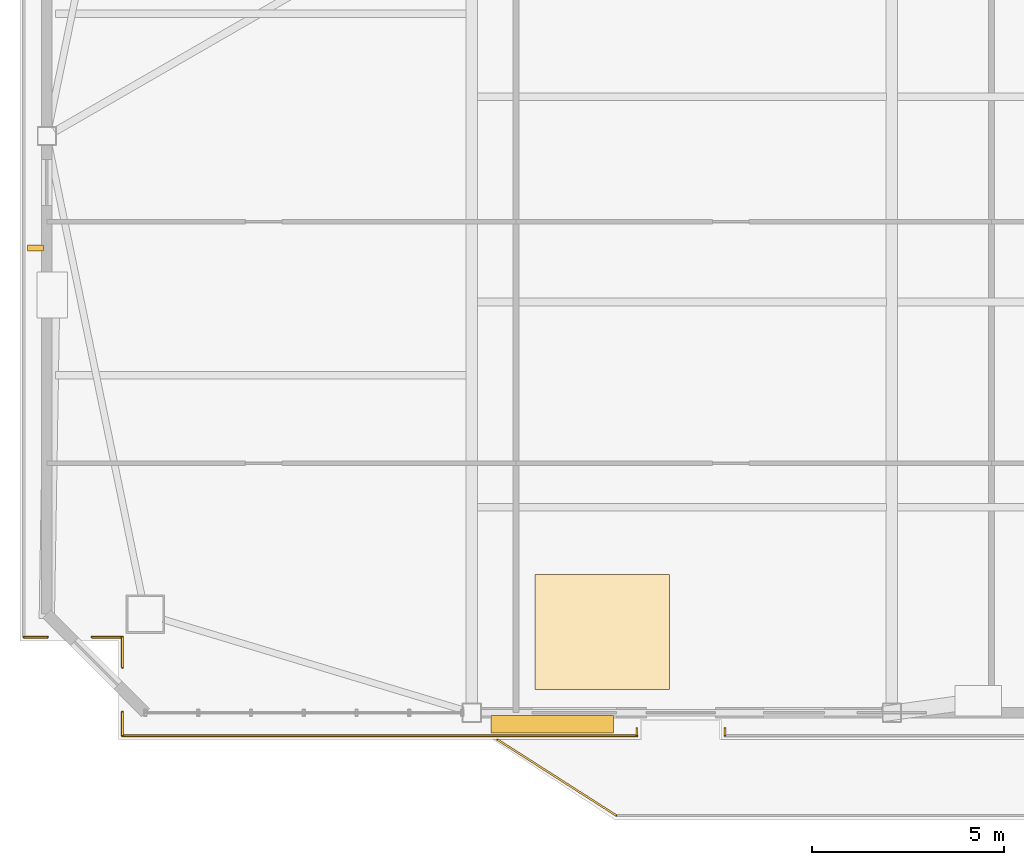
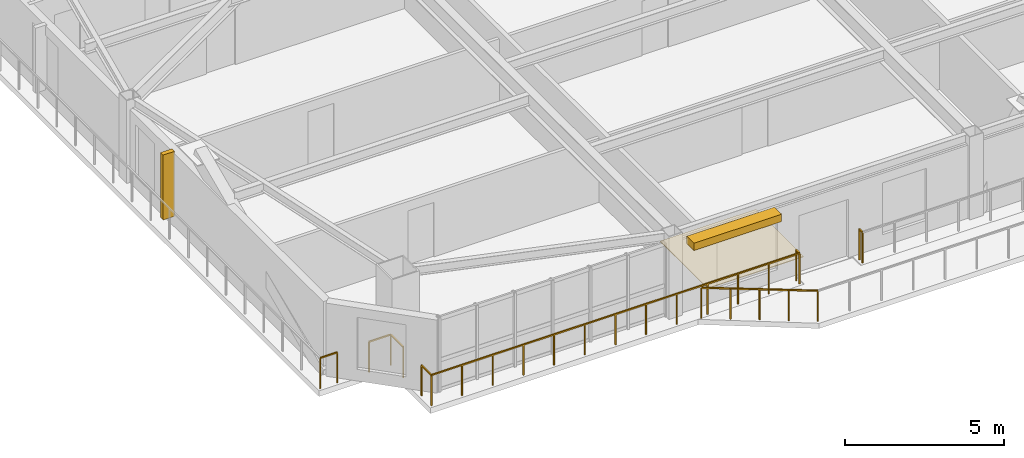
# One storey, part 13 of 18: 8 railings, 2 shading devices, 1 covering.
"""IFC4 building model written with IfcOpenShell, lengths in metres."""

import ifcopenshell
import ifcopenshell.guid

model = None  # the IFC model being written
_history = None  # IfcOwnerHistory: only IFC2X3 demands one
_inside = {}  # id of a spatial element -> (the spatial element, [elements in it])
_under = {}  # id of a project, library or spatial element -> (it, [spatial elements below it])
_declared = {}  # id of a project -> (the project, [libraries it declares])
_typed = {}  # id of a type object -> (the type object, [elements of that type])
_made_of = {}  # id of a material, layer set ... -> (it, [elements and type objects made of it])


def new_model(schema):
    """Start an empty IFC model of exactly this schema.

    Asked for "IFC4X3", IfcOpenShell would pick the latest addendum, in which some entities
    have other attributes; the version numbers below select the first issue.
    IFC2X3 requires an IfcOwnerHistory on every rooted entity: one is made here for all.
    """
    global model, _history
    if schema == "IFC4X3":
        model = ifcopenshell.file(schema_version=(4, 3, 0, 0))
    else:
        model = ifcopenshell.file(schema=schema)
    _inside.clear()
    _under.clear()
    _declared.clear()
    _typed.clear()
    _made_of.clear()
    _history = None
    if model.schema == "IFC2X3":
        org = make("IfcOrganization", Name="unknown")
        user = make(
            "IfcPersonAndOrganization",
            ThePerson=make("IfcPerson", FamilyName="unknown"),
            TheOrganization=org,
        )
        app = make(
            "IfcApplication",
            ApplicationDeveloper=org,
            Version="unknown",
            ApplicationFullName="unknown",
            ApplicationIdentifier="unknown",
        )
        _history = make(
            "IfcOwnerHistory",
            OwningUser=user,
            OwningApplication=app,
            ChangeAction="ADDED",
            CreationDate=0,
        )
    return model


def make(cls, **values):
    """One entity of the class cls with the attributes given. An attribute that is None is left unset."""
    return model.create_entity(
        cls, **{name: value for name, value in values.items() if value is not None}
    )


def rooted(cls, **values):
    """An entity with a GlobalId (a new one), such as an element, a storey or a relation."""
    return make(cls, GlobalId=ifcopenshell.guid.new(), OwnerHistory=_history, **values)


def si_unit(unit_type, name, prefix=None):
    """IfcSIUnit, for example si_unit("LENGTHUNIT", "METRE", prefix="MILLI")."""
    return make("IfcSIUnit", UnitType=unit_type, Prefix=prefix, Name=name)


def assignment(units):
    """IfcUnitAssignment: the units of a project."""
    return None if units is None else make("IfcUnitAssignment", Units=units)


def point(xyz):
    """IfcCartesianPoint."""
    return None if xyz is None else make("IfcCartesianPoint", Coordinates=xyz)


def direction(xyz):
    """IfcDirection."""
    return None if xyz is None else make("IfcDirection", DirectionRatios=xyz)


def frame(location, z_axis=None, x_axis=None):
    """IfcAxis2Placement3D, a coordinate frame: its origin and axes. An axis left out is left unset."""
    return make(
        "IfcAxis2Placement3D",
        Location=point(location),
        Axis=direction(z_axis),
        RefDirection=direction(x_axis),
    )


def frame_2d(location, x_axis=None):
    """IfcAxis2Placement2D, a coordinate frame in the plane: its origin and x axis."""
    return make(
        "IfcAxis2Placement2D", Location=point(location), RefDirection=direction(x_axis)
    )


def origin():
    """The frame at (0, 0, 0) with its axes left unset."""
    return frame((0.0, 0.0, 0.0))


def origin_2d():
    """The frame at (0, 0) in the plane with its x axis left unset."""
    return frame_2d((0.0, 0.0))


def place(relative_to, where):
    """IfcLocalPlacement: puts the frame where relative to a parent placement (None: the world)."""
    return make(
        "IfcLocalPlacement", PlacementRelTo=relative_to, RelativePlacement=where
    )


def context(
    kind, dimensions, precision=None, world=None, true_north=None, identifier=None
):
    """IfcGeometricRepresentationContext, for example the 3D "Model" context."""
    return make(
        "IfcGeometricRepresentationContext",
        ContextIdentifier=identifier,
        ContextType=kind,
        CoordinateSpaceDimension=dimensions,
        Precision=precision,
        WorldCoordinateSystem=world,
        TrueNorth=true_north,
    )


def subcontext(parent, identifier, kind, view, scale=None):
    """IfcGeometricRepresentationSubContext, for example "Body" below "Model"."""
    return make(
        "IfcGeometricRepresentationSubContext",
        ContextIdentifier=identifier,
        ContextType=kind,
        ParentContext=parent,
        TargetScale=scale,
        TargetView=view,
    )


def project(units=None, contexts=None):
    """IfcProject with its units and contexts."""
    return rooted(
        "IfcProject",
        Name="project",
        RepresentationContexts=contexts,
        UnitsInContext=assignment(units),
    )


def spatial(cls, under=None, at=None, **own):
    """A site, building, storey or space (cls), placed at a placement, below another one or the project."""
    s = rooted(cls, ObjectPlacement=at, **own)
    if under is not None:
        _under.setdefault(under.id(), (under, []))[1].append(s)
    return s


def polyline(points):
    """IfcPolyline through the points."""
    return make("IfcPolyline", Points=[point(p) for p in points])


def profile(cls, at=None, kind="AREA", **sizes):
    """A parametric profile (cls). Its sizes go by their IFC names, for example OverallWidth=200.0."""
    return make(cls, ProfileType=kind, Position=at, **sizes)


def rectangle(**sizes):
    """IfcRectangleProfileDef."""
    return profile("IfcRectangleProfileDef", **sizes)


def outline(outer, holes=None, kind="AREA"):
    """IfcArbitraryClosedProfileDef: a profile drawn as a closed curve; with holes, ...WithVoids."""
    if holes is None:
        return make("IfcArbitraryClosedProfileDef", ProfileType=kind, OuterCurve=outer)
    return make(
        "IfcArbitraryProfileDefWithVoids",
        ProfileType=kind,
        OuterCurve=outer,
        InnerCurves=holes,
    )


def extrude(swept, where, along, depth):
    """IfcExtrudedAreaSolid: the profile swept, set in the frame where, extruded along a direction by depth."""
    return make(
        "IfcExtrudedAreaSolid",
        SweptArea=swept,
        Position=where,
        ExtrudedDirection=direction(along),
        Depth=depth,
    )


def shape(context_of_items, identifier, shape_type, items):
    """IfcShapeRepresentation: the items that make up one representation, for example the "Body"."""
    return make(
        "IfcShapeRepresentation",
        ContextOfItems=context_of_items,
        RepresentationIdentifier=identifier,
        RepresentationType=shape_type,
        Items=items,
    )


def source(mapping_origin, context_of_items, identifier, shape_type, items):
    """IfcRepresentationMap: a shape defined once, which mapped items show again and again."""
    return make(
        "IfcRepresentationMap",
        MappingOrigin=mapping_origin,
        MappedRepresentation=shape(context_of_items, identifier, shape_type, items),
    )


def transform(
    local_origin,
    x_axis=None,
    y_axis=None,
    z_axis=None,
    scale=None,
    scale2=None,
    scale3=None,
    uniform=True,
):
    """IfcCartesianTransformationOperator3D, or its non-uniform kind. x_axis, y_axis, z_axis: its Axis1, 2, 3."""
    if uniform:
        return make(
            "IfcCartesianTransformationOperator3D",
            Axis1=direction(x_axis),
            Axis2=direction(y_axis),
            LocalOrigin=point(local_origin),
            Scale=scale,
            Axis3=direction(z_axis),
        )
    return make(
        "IfcCartesianTransformationOperator3DnonUniform",
        Axis1=direction(x_axis),
        Axis2=direction(y_axis),
        LocalOrigin=point(local_origin),
        Scale=scale,
        Axis3=direction(z_axis),
        Scale2=scale2,
        Scale3=scale3,
    )


def mapped(mapping_source, mapping_target):
    """IfcMappedItem: shows the shape of a source again, moved by a transform."""
    return make(
        "IfcMappedItem", MappingSource=mapping_source, MappingTarget=mapping_target
    )


def material(Name=None, Category=None):
    """IfcMaterial."""
    return make("IfcMaterial", Name=Name, Category=Category)


def layer(
    of_material, thickness, ventilated=None, Name=None, Category=None, Priority=None
):
    """IfcMaterialLayer: one layer of a wall or slab, of a material (None: an air gap)."""
    return make(
        "IfcMaterialLayer",
        Material=of_material,
        LayerThickness=thickness,
        IsVentilated=ventilated,
        Name=Name,
        Category=Category,
        Priority=Priority,
    )


def layer_set(layers, Name=None):
    """IfcMaterialLayerSet."""
    return make("IfcMaterialLayerSet", MaterialLayers=layers, LayerSetName=Name)


def made_of(thing, what):
    """Note that an element or type object is made of a material, layer set ...; save() writes the relation."""
    if what is not None:
        _made_of.setdefault(what.id(), (what, []))[1].append(thing)
    return thing


def type_object(cls, material=None, **own):
    """A type object (cls), such as IfcWallType, which elements share."""
    return made_of(rooted(cls, **own), material)


def element(
    cls,
    number,
    at=None,
    inside=None,
    cuts=None,
    type_object=None,
    material=None,
    context=None,
    identifier="Body",
    shape_type=None,
    held_by="IfcProductDefinitionShape",
    body=None,
    shapes=None,
    **own,
):
    """One element of the class cls, such as IfcWall. Its Tag is "e" and its number.

    at: its placement. inside: the storey or other place that contains it. cuts: it is an
    opening in that element (IfcRelVoidsElement). A single representation is given by context,
    identifier, shape_type and body (its items); several are given by shapes. held_by: the class
    of the entity that holds the representations. save() writes the other relations.
    """
    e = rooted(cls, Tag="e%d" % number, ObjectPlacement=at, **own)
    if body is not None:
        shapes = [shape(context, identifier, shape_type, body)]
    if shapes is not None:
        e.Representation = make(held_by, Representations=shapes)
    if inside is not None:
        _inside.setdefault(inside.id(), (inside, []))[1].append(e)
    if cuts is not None:
        rooted(
            "IfcRelVoidsElement", RelatingBuildingElement=cuts, RelatedOpeningElement=e
        )
    if type_object is not None:
        _typed.setdefault(type_object.id(), (type_object, []))[1].append(e)
    return made_of(e, material)


def aggregate(whole, parts):
    """IfcRelAggregates: a whole, such as a stair, and the parts it consists of."""
    return rooted("IfcRelAggregates", RelatingObject=whole, RelatedObjects=parts)


def save(model, path):
    """Write the relations noted so far, then the file.

    IfcRelAggregates (storeys below a building ...), IfcRelContainedInSpatialStructure (elements
    in a storey), IfcRelDefinesByType, IfcRelAssociatesMaterial and IfcRelDeclares: one each for
    every whole, place, type object, material and project.
    """
    for whole, parts in _under.values():
        aggregate(whole, parts)
    for where, things in _inside.values():
        rooted(
            "IfcRelContainedInSpatialStructure",
            RelatedElements=things,
            RelatingStructure=where,
        )
    for kind, things in _typed.values():
        rooted("IfcRelDefinesByType", RelatedObjects=things, RelatingType=kind)
    for what, things in _made_of.values():
        rooted("IfcRelAssociatesMaterial", RelatedObjects=things, RelatingMaterial=what)
    for by, libraries in _declared.values():
        rooted("IfcRelDeclares", RelatingContext=by, RelatedDefinitions=libraries)
    model.write(path)


model = new_model("IFC4")

# Units and contexts
model_context = context("Model", 3, precision=1e-05, world=origin(), true_north=direction((0.0, 1.0)))
body_context = subcontext(model_context, "Body", "Model", "MODEL_VIEW")
ifc_project = project(units=[si_unit("LENGTHUNIT", "METRE"), si_unit("AREAUNIT", "SQUARE_METRE"), si_unit("VOLUMEUNIT", "CUBIC_METRE"), si_unit("PLANEANGLEUNIT", "RADIAN"), si_unit("MASSUNIT", "GRAM", prefix="KILO")], contexts=[model_context])

# Site, building, storey
site_placement = place(None, origin())
site = spatial("IfcSite", under=ifc_project, at=site_placement, CompositionType="ELEMENT")
building_placement = place(site_placement, origin())
building = spatial("IfcBuilding", under=site, at=building_placement, Name="Giltprow Tower", CompositionType="ELEMENT")
storey_placement = place(building_placement, frame((0.0, 0.0, 258.699951171875)))
storey = spatial("IfcBuildingStorey", under=building, at=storey_placement, Name="L66", CompositionType="ELEMENT", Elevation=258.699951171875)

# Covering
ifc_material_1 = material(Name="Engineered oak", Category="wood")
ifc_layer = layer(ifc_material_1, 0.02490234375, Name="Engineered oak")
ifc_layer_set = layer_set([ifc_layer], Name="Engineered oak")
covering_type = type_object("IfcCoveringType", Name="COV-FLR-TIMBER", PredefinedType="FLOORING", material=ifc_layer_set)
covering_placement = place(storey_placement, origin())
element("IfcCovering", 1, at=covering_placement, inside=storey, type_object=covering_type, Name="L66 Residence Oak Parquet Flooring", PredefinedType="FLOORING", context=body_context, shape_type="SweptSolid", body=[
    extrude(outline(polyline([(21.5, 16.64501953125), (25.0, 16.64501953125), (25.0, 19.64501953125), (21.5, 19.64501953125), (21.5, 16.64501953125)])), origin(), (0.0, 0.0, 1.0), 0.025146484375),
])

# Railings
ifc_material_2 = material(Name="Anodized bronze", Category="metal")
railing_type = type_object("IfcRailingType", Name="RAIL-BALC-GUARD-1200", PredefinedType="BALUSTRADE", material=ifc_material_2)
railing_1_placement = place(storey_placement, frame((20.52001953125, 15.344970703125, 0.0)))
element("IfcRailing", 2, at=railing_1_placement, inside=storey, type_object=railing_type, Name="L66 Waterfront Balcony Balustrade Seg 1", PredefinedType="BALUSTRADE", context=body_context, shape_type="SweptSolid", body=[
    extrude(rectangle(XDim=0.048095703125, YDim=0.048095703125, at=origin_2d()), frame((0.0, 0.0, 1.17578125), z_axis=(0.84277487735, -0.538266203757, 0.0), x_axis=(0.538266203757, 0.84277487735, 0.0)), (0.0, 0.0, 1.0), 3.678466796875),
    extrude(rectangle(XDim=0.0419921875, YDim=0.0419921875, at=origin_2d()), origin(), (0.0, 0.0, 1.0), 1.15185546875),
    extrude(rectangle(XDim=0.0419921875, YDim=0.0419921875, at=origin_2d()), frame((0.77490234375, -0.4951171875, 0.0)), (0.0, 0.0, 1.0), 1.15185546875),
    extrude(rectangle(XDim=0.0419921875, YDim=0.0419921875, at=origin_2d()), frame((1.550048828125, -0.989990234375, 0.0)), (0.0, 0.0, 1.0), 1.15185546875),
    extrude(rectangle(XDim=0.0419921875, YDim=0.0419921875, at=origin_2d()), frame((2.3251953125, -1.48486328125, 0.0)), (0.0, 0.0, 1.0), 1.15185546875),
    extrude(rectangle(XDim=0.0419921875, YDim=0.0419921875, at=origin_2d()), frame((3.10009765625, -1.97998046875, 0.0)), (0.0, 0.0, 1.0), 1.15185546875),
])
railing_2_placement = place(storey_placement, frame((26.449951171875, 15.445068359375, 0.0)))
element("IfcRailing", 3, at=railing_2_placement, inside=storey, type_object=railing_type, Name="L66 Corner Apron Edge Balustrade 10", PredefinedType="BALUSTRADE", context=body_context, shape_type="SweptSolid", body=[
    extrude(rectangle(XDim=0.048095703125, YDim=0.048095703125, at=origin_2d()), frame((0.0, 0.0, 1.17578125), z_axis=(0.0, 1.0, 0.0), x_axis=(-1.0, 0.0, 0.0)), (0.0, 0.0, 1.0), 0.199951171875),
    extrude(rectangle(XDim=0.0419921875, YDim=0.0419921875, at=origin_2d()), origin(), (0.0, 0.0, 1.0), 1.15185546875),
    extrude(rectangle(XDim=0.0419921875, YDim=0.0419921875, at=origin_2d()), frame((0.0, 0.199951171875, 0.0)), (0.0, 0.0, 1.0), 1.15185546875),
])
railing_3_placement = place(storey_placement, frame((24.14990234375, 15.64501953125, 0.0)))
element("IfcRailing", 4, at=railing_3_placement, inside=storey, type_object=railing_type, Name="L66 Corner Apron Edge Balustrade 11", PredefinedType="BALUSTRADE", context=body_context, shape_type="SweptSolid", body=[
    extrude(rectangle(XDim=0.048095703125, YDim=0.048095703125, at=origin_2d()), frame((0.0, 0.0, 1.17578125), z_axis=(0.0, -1.0, 0.0), x_axis=(1.0, 0.0, 0.0)), (0.0, 0.0, 1.0), 0.199951171875),
    extrude(rectangle(XDim=0.0419921875, YDim=0.0419921875, at=origin_2d()), origin(), (0.0, 0.0, 1.0), 1.15185546875),
    extrude(rectangle(XDim=0.0419921875, YDim=0.0419921875, at=origin_2d()), frame((0.0, -0.199951171875, 0.0)), (0.0, 0.0, 1.0), 1.15185546875),
])
railing_4_placement = place(storey_placement, frame((24.14990234375, 15.445068359375, 0.0)))
element("IfcRailing", 5, at=railing_4_placement, inside=storey, type_object=railing_type, Name="L66 Corner Apron Edge Balustrade 12", PredefinedType="BALUSTRADE", context=body_context, shape_type="SweptSolid", body=[
    extrude(rectangle(XDim=0.048095703125, YDim=0.048095703125, at=origin_2d()), frame((0.0, 0.0, 1.17578125), z_axis=(-1.0, 0.0, 0.0), x_axis=(0.0, -1.0, 0.0)), (0.0, 0.0, 1.0), 13.40185546875),
    extrude(rectangle(XDim=0.0419921875, YDim=0.0419921875, at=origin_2d()), origin(), (0.0, 0.0, 1.0), 1.15185546875),
    extrude(rectangle(XDim=0.0419921875, YDim=0.0419921875, at=origin_2d()), frame((-1.11669921875, 0.0, 0.0)), (0.0, 0.0, 1.0), 1.15185546875),
    extrude(rectangle(XDim=0.0419921875, YDim=0.0419921875, at=origin_2d()), frame((-2.233642578125, 0.0, 0.0)), (0.0, 0.0, 1.0), 1.15185546875),
    extrude(rectangle(XDim=0.0419921875, YDim=0.0419921875, at=origin_2d()), frame((-3.3505859375, 0.0, 0.0)), (0.0, 0.0, 1.0), 1.15185546875),
    extrude(rectangle(XDim=0.0419921875, YDim=0.0419921875, at=origin_2d()), frame((-4.46728515625, 0.0, 0.0)), (0.0, 0.0, 1.0), 1.15185546875),
    extrude(rectangle(XDim=0.0419921875, YDim=0.0419921875, at=origin_2d()), frame((-5.583984375, 0.0, 0.0)), (0.0, 0.0, 1.0), 1.15185546875),
    extrude(rectangle(XDim=0.0419921875, YDim=0.0419921875, at=origin_2d()), frame((-6.700927734375, 0.0, 0.0)), (0.0, 0.0, 1.0), 1.15185546875),
    extrude(rectangle(XDim=0.0419921875, YDim=0.0419921875, at=origin_2d()), frame((-7.81787109375, 0.0, 0.0)), (0.0, 0.0, 1.0), 1.15185546875),
    extrude(rectangle(XDim=0.0419921875, YDim=0.0419921875, at=origin_2d()), frame((-8.9345703125, 0.0, 0.0)), (0.0, 0.0, 1.0), 1.15185546875),
    extrude(rectangle(XDim=0.0419921875, YDim=0.0419921875, at=origin_2d()), frame((-10.05126953125, 0.0, 0.0)), (0.0, 0.0, 1.0), 1.15185546875),
    extrude(rectangle(XDim=0.0419921875, YDim=0.0419921875, at=origin_2d()), frame((-11.168212890625, 0.0, 0.0)), (0.0, 0.0, 1.0), 1.15185546875),
    extrude(rectangle(XDim=0.0419921875, YDim=0.0419921875, at=origin_2d()), frame((-12.28515625, 0.0, 0.0)), (0.0, 0.0, 1.0), 1.15185546875),
    extrude(rectangle(XDim=0.0419921875, YDim=0.0419921875, at=origin_2d()), frame((-13.40185546875, 0.0, 0.0)), (0.0, 0.0, 1.0), 1.15185546875),
])
railing_5_placement = place(storey_placement, frame((10.748046875, 15.445068359375, 0.0)))
element("IfcRailing", 6, at=railing_5_placement, inside=storey, type_object=railing_type, Name="L66 Corner Apron Edge Balustrade 13", PredefinedType="BALUSTRADE", context=body_context, shape_type="SweptSolid", body=[
    extrude(rectangle(XDim=0.048095703125, YDim=0.048095703125, at=origin_2d()), frame((0.0, 0.0, 1.17578125), z_axis=(0.0, 1.0, 0.0), x_axis=(-1.0, 0.0, 0.0)), (0.0, 0.0, 1.0), 0.619873046875),
    extrude(rectangle(XDim=0.0419921875, YDim=0.0419921875, at=origin_2d()), origin(), (0.0, 0.0, 1.0), 1.15185546875),
    extrude(rectangle(XDim=0.0419921875, YDim=0.0419921875, at=origin_2d()), frame((0.0, 0.619873046875, 0.0)), (0.0, 0.0, 1.0), 1.15185546875),
])
railing_6_placement = place(storey_placement, frame((10.748046875, 17.22509765625, 0.0)))
element("IfcRailing", 7, at=railing_6_placement, inside=storey, type_object=railing_type, Name="L66 Corner Apron Edge Balustrade 14", PredefinedType="BALUSTRADE", context=body_context, shape_type="SweptSolid", body=[
    extrude(rectangle(XDim=0.048095703125, YDim=0.048095703125, at=origin_2d()), frame((0.0, 0.0, 1.17578125), z_axis=(0.0, 1.0, 0.0), x_axis=(-1.0, 0.0, 0.0)), (0.0, 0.0, 1.0), 0.787841796875),
    extrude(rectangle(XDim=0.0419921875, YDim=0.0419921875, at=origin_2d()), origin(), (0.0, 0.0, 1.0), 1.15185546875),
    extrude(rectangle(XDim=0.0419921875, YDim=0.0419921875, at=origin_2d()), frame((0.0, 0.787841796875, 0.0)), (0.0, 0.0, 1.0), 1.15185546875),
])
railing_7_placement = place(storey_placement, frame((10.748046875, 18.012939453125, 0.0)))
element("IfcRailing", 8, at=railing_7_placement, inside=storey, type_object=railing_type, Name="L66 Corner Apron Edge Balustrade 15", PredefinedType="BALUSTRADE", context=body_context, shape_type="SweptSolid", body=[
    extrude(rectangle(XDim=0.048095703125, YDim=0.048095703125, at=origin_2d()), frame((0.0, 0.0, 1.17578125), z_axis=(-1.0, 0.0, 0.0), x_axis=(0.0, -1.0, 0.0)), (0.0, 0.0, 1.0), 0.7880859375),
    extrude(rectangle(XDim=0.0419921875, YDim=0.0419921875, at=origin_2d()), origin(), (0.0, 0.0, 1.0), 1.15185546875),
    extrude(rectangle(XDim=0.0419921875, YDim=0.0419921875, at=origin_2d()), frame((-0.7880859375, 0.0, 0.0)), (0.0, 0.0, 1.0), 1.15185546875),
])
railing_8_placement = place(storey_placement, frame((8.800048828125, 18.012939453125, 0.0)))
element("IfcRailing", 9, at=railing_8_placement, inside=storey, type_object=railing_type, Name="L66 Corner Apron Edge Balustrade 16", PredefinedType="BALUSTRADE", context=body_context, shape_type="SweptSolid", body=[
    extrude(rectangle(XDim=0.048095703125, YDim=0.048095703125, at=origin_2d()), frame((0.0, 0.0, 1.17578125), z_axis=(-1.0, 0.0, 0.0), x_axis=(0.0, -1.0, 0.0)), (0.0, 0.0, 1.0), 0.62109375),
    extrude(rectangle(XDim=0.0419921875, YDim=0.0419921875, at=origin_2d()), origin(), (0.0, 0.0, 1.0), 1.15185546875),
    extrude(rectangle(XDim=0.0419921875, YDim=0.0419921875, at=origin_2d()), frame((-0.62109375, 0.0, 0.0)), (0.0, 0.0, 1.0), 1.15185546875),
])

# Shading devices
shading_device_type_1 = type_object("IfcShadingDeviceType", Name="SHD-FIN-420", PredefinedType="USERDEFINED", material=ifc_material_2)
shared_shape_1 = source(origin(), body_context, "Body", "SweptSolid", [
    extrude(rectangle(XDim=0.419921875, YDim=0.159912109375, at=origin_2d()), origin(), (0.0, 0.0, 1.0), 2.5),
])
shading_device_1_placement = place(storey_placement, frame((8.47900390625, 28.157958984375, 0.35009765625), z_axis=(0.0, 0.0, 1.0), x_axis=(1.0, 0.0, 0.0)))
element("IfcShadingDevice", 10, at=shading_device_1_placement, inside=storey, type_object=shading_device_type_1, Name="L66 W Bronze Vertical Fin 1-1", ObjectType="FIN", PredefinedType="USERDEFINED", context=body_context, shape_type="MappedRepresentation", body=[
    mapped(shared_shape_1, transform((0.0, 0.0, 0.0), x_axis=(1.0, 0.0, 0.0), y_axis=(0.0, 1.0, 0.0), z_axis=(0.0, 0.0, 1.0), scale=1.0)),
])
shading_device_type_2 = type_object("IfcShadingDeviceType", Name="SHD-LOUVRE-320", PredefinedType="JALOUSIE", material=ifc_material_2)
shared_shape_2 = source(origin(), body_context, "Body", "SweptSolid", [
    extrude(rectangle(XDim=3.199951171875, YDim=0.449951171875, at=origin_2d()), origin(), (0.0, 0.0, 1.0), 0.280029296875),
])
shading_device_2_placement = place(storey_placement, frame((21.949951171875, 15.7451171875, 2.56005859375), z_axis=(0.0, 0.0, 1.0), x_axis=(1.0, 0.0, 0.0)))
element("IfcShadingDevice", 11, at=shading_device_2_placement, inside=storey, type_object=shading_device_type_2, Name="L66 Bronze Sunshade Louvre S-2", PredefinedType="JALOUSIE", context=body_context, shape_type="MappedRepresentation", body=[
    mapped(shared_shape_2, transform((0.0, 0.0, 0.0), x_axis=(1.0, 0.0, 0.0), y_axis=(0.0, 1.0, 0.0), z_axis=(0.0, 0.0, 1.0), scale=1.0)),
])

save(model, "model.ifc")
